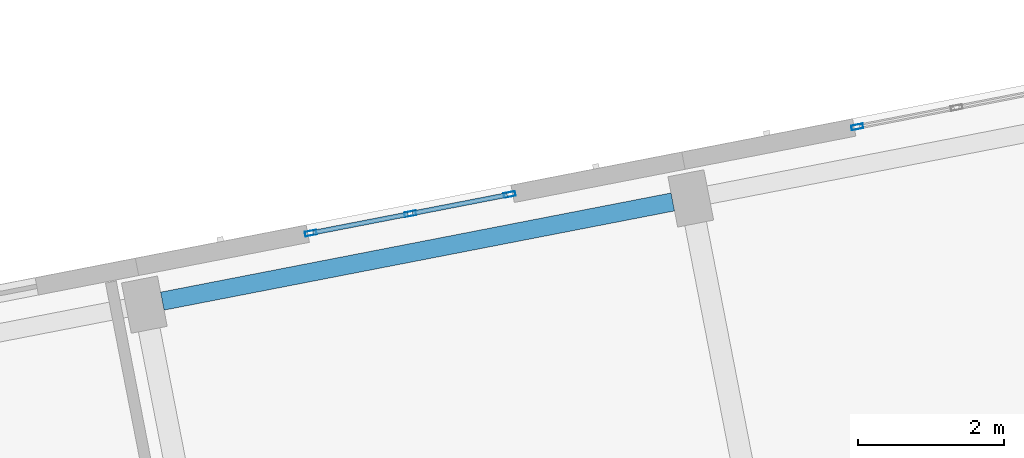
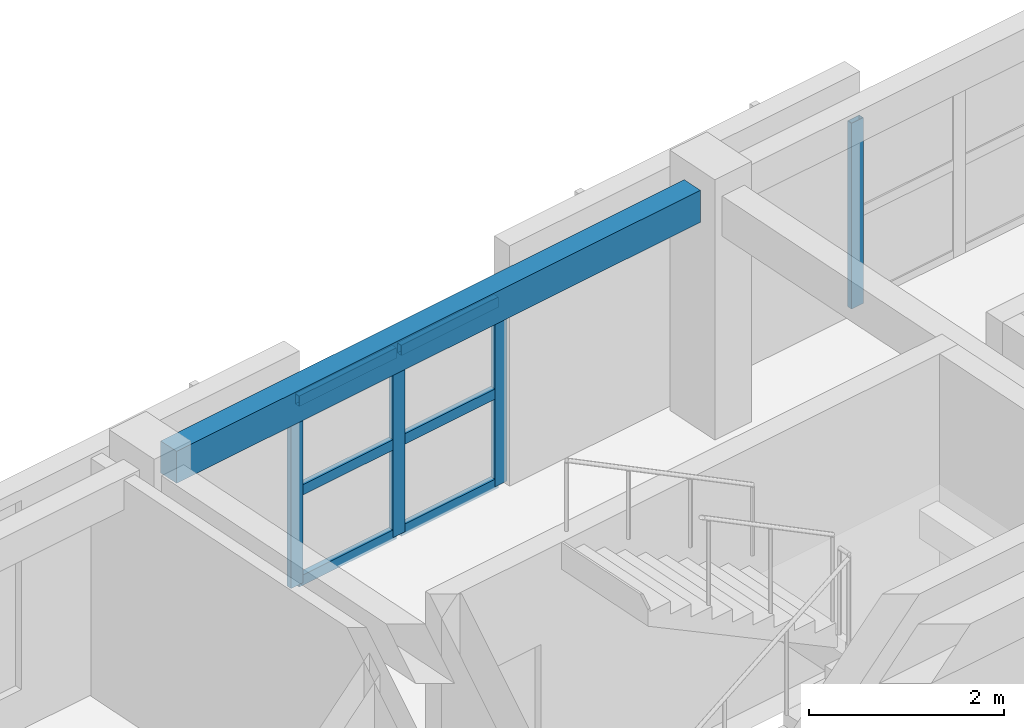
# One storey, part 56 of 127: 10 members, 1 beam, 2 elements without a shape of their own.
"""IFC4 building model written with IfcOpenShell, lengths in metres."""

from ifc_helpers import new_model, si_unit, direction, frame, origin, origin_2d, place, context, subcontext, project, spatial, rectangle, hollow_rectangle, extrude, material, material_profile, profile_set, type_object, element, aggregate, save


model = new_model("IFC4")

# Units and contexts
model_context = context("Model", 3, precision=1e-05, world=origin(), true_north=direction((0.0, 1.0)))
body_context = subcontext(model_context, "Body", "Model", "MODEL_VIEW")
ifc_project = project(units=[si_unit("LENGTHUNIT", "METRE"), si_unit("AREAUNIT", "SQUARE_METRE"), si_unit("VOLUMEUNIT", "CUBIC_METRE"), si_unit("PLANEANGLEUNIT", "RADIAN"), si_unit("MASSUNIT", "GRAM", prefix="KILO")], contexts=[model_context])

# Site, building, storey
site_placement = place(None, origin())
site = spatial("IfcSite", under=ifc_project, at=site_placement, CompositionType="ELEMENT")
building_placement = place(site_placement, origin())
building = spatial("IfcBuilding", under=site, at=building_placement, Name="Kestramere Prow Commons", CompositionType="ELEMENT")
storey_placement = place(building_placement, frame((0.0, 0.0, 8.39990234375)))
storey = spatial("IfcBuildingStorey", under=building, at=storey_placement, Name="L02", CompositionType="ELEMENT", Elevation=8.39990234375)

# Curtain wall, members
ifc_material_1 = material(Name="Anodised Aluminium and Low-E Glass", Category="aluminium")
curtain_wall_type = type_object("IfcCurtainWallType", Name="CW-03 Glazed Curtain Wall 2830x2320", PredefinedType="USERDEFINED", material=ifc_material_1)
curtain_wall_1_placement = place(storey_placement, origin())
curtain_wall_1 = element("IfcCurtainWall", 1, at=curtain_wall_1_placement, inside=storey, type_object=curtain_wall_type, Name="Block D L02 Stairwell Vertical Glazing 4", ObjectType="GLAZED CURTAIN WALL", PredefinedType="USERDEFINED")
ifc_material_2 = material(Name="Anodised Aluminium 6063-T6", Category="aluminium")
ifc_material_profile_1 = material_profile(ifc_material_2, hollow_rectangle(XDim=0.06494140625, YDim=0.159912109375, WallThickness=0.00390625, at=origin_2d()), Name="ALU-MUL 65x160")
ifc_profile_set_1 = profile_set([ifc_material_profile_1], Name="Anodised Aluminium 6063-T6")
member_type_1 = type_object("IfcMemberType", Name="CW-MUL-65x160", PredefinedType="MULLION", material=ifc_profile_set_1)
member_1_placement = place(storey_placement, frame((139.314208984375, 58.56689453125, 0.0), z_axis=(0.0, 0.0, 1.0), x_axis=(-0.190808835118, 0.981627214599, 0.0)))
member_1 = element("IfcMember", 2, at=member_1_placement, type_object=member_type_1, Name="CW-03 mullion 1", PredefinedType="MULLION", context=body_context, shape_type="SweptSolid", body=[
    extrude(hollow_rectangle(XDim=0.06494140625, YDim=0.159912109375, WallThickness=0.00390625, at=origin_2d()), origin(), (0.0, 0.0, 1.0), 2.320068359375),
])
member_2_placement = place(storey_placement, frame((140.671142578125, 58.830810546875, 0.0), z_axis=(0.0, 0.0, 1.0), x_axis=(-0.190808835118, 0.981627214599, 0.0)))
member_2 = element("IfcMember", 3, at=member_2_placement, type_object=member_type_1, Name="CW-03 mullion 2", PredefinedType="MULLION", context=body_context, shape_type="SweptSolid", body=[
    extrude(hollow_rectangle(XDim=0.06494140625, YDim=0.159912109375, WallThickness=0.00390625, at=origin_2d()), origin(), (0.0, 0.0, 1.0), 2.320068359375),
])
member_3_placement = place(storey_placement, frame((142.0283203125, 59.094482421875, 0.0), z_axis=(0.0, 0.0, 1.0), x_axis=(-0.190808835118, 0.981627214599, 0.0)))
member_3 = element("IfcMember", 4, at=member_3_placement, type_object=member_type_1, Name="CW-03 mullion 3", PredefinedType="MULLION", context=body_context, shape_type="SweptSolid", body=[
    extrude(hollow_rectangle(XDim=0.06494140625, YDim=0.159912109375, WallThickness=0.00390625, at=origin_2d()), origin(), (0.0, 0.0, 1.0), 2.320068359375),
])

# Curtain wall, member
curtain_wall_2_placement = place(storey_placement, origin())
curtain_wall_2 = element("IfcCurtainWall", 5, at=curtain_wall_2_placement, inside=storey, type_object=curtain_wall_type, Name="Block D L02 Stairwell Vertical Glazing 5", ObjectType="GLAZED CURTAIN WALL", PredefinedType="USERDEFINED")
member_4_placement = place(storey_placement, frame((146.7744140625, 60.01708984375, 0.0), z_axis=(0.0, 0.0, 1.0), x_axis=(-0.190808835118, 0.981627214599, 0.0)))
member_4 = element("IfcMember", 6, at=member_4_placement, type_object=member_type_1, Name="CW-03 mullion 1", PredefinedType="MULLION", context=body_context, shape_type="SweptSolid", body=[
    extrude(hollow_rectangle(XDim=0.06494140625, YDim=0.159912109375, WallThickness=0.00390625, at=origin_2d()), origin(), (0.0, 0.0, 1.0), 2.320068359375),
])
aggregate(curtain_wall_2, [member_4])

# Member
ifc_material_profile_2 = material_profile(ifc_material_2, hollow_rectangle(XDim=0.06494140625, YDim=0.1298828125, WallThickness=0.00390625, at=origin_2d()), Name="ALU-TRN 65x130")
ifc_profile_set_2 = profile_set([ifc_material_profile_2], Name="Anodised Aluminium 6063-T6")
member_type_2 = type_object("IfcMemberType", Name="CW-TRN-65x130", PredefinedType="USERDEFINED", material=ifc_profile_set_2)
member_5_placement = place(storey_placement, frame((139.345947265625, 58.5732421875, 0.03271484375), z_axis=(0.981655869186, 0.190661360776, 0.0), x_axis=(-0.190661360776, 0.981655869186, 0.0)))
member_5 = element("IfcMember", 7, at=member_5_placement, type_object=member_type_2, Name="CW-03 transom 1.1", ObjectType="TRANSOM", PredefinedType="USERDEFINED", context=body_context, shape_type="SweptSolid", body=[
    extrude(hollow_rectangle(XDim=0.06494140625, YDim=0.1298828125, WallThickness=0.00390625, at=origin_2d()), origin(), (0.0, 0.0, 1.0), 1.317626953125),
])

member_6_placement = place(storey_placement, frame((139.345947265625, 58.5732421875, 1.16015625), z_axis=(0.981655869186, 0.190661360776, 0.0), x_axis=(-0.190661360776, 0.981655869186, 0.0)))
member_6 = element("IfcMember", 8, at=member_6_placement, type_object=member_type_2, Name="CW-03 transom 1.2", ObjectType="TRANSOM", PredefinedType="USERDEFINED", context=body_context, shape_type="SweptSolid", body=[
    extrude(hollow_rectangle(XDim=0.06494140625, YDim=0.1298828125, WallThickness=0.00390625, at=origin_2d()), origin(), (0.0, 0.0, 1.0), 1.317626953125),
])

member_7_placement = place(storey_placement, frame((139.345947265625, 58.5732421875, 2.28759765625), z_axis=(0.981655869186, 0.190661360776, 0.0), x_axis=(-0.190661360776, 0.981655869186, 0.0)))
member_7 = element("IfcMember", 9, at=member_7_placement, type_object=member_type_2, Name="CW-03 transom 1.3", ObjectType="TRANSOM", PredefinedType="USERDEFINED", context=body_context, shape_type="SweptSolid", body=[
    extrude(hollow_rectangle(XDim=0.06494140625, YDim=0.1298828125, WallThickness=0.00390625, at=origin_2d()), origin(), (0.0, 0.0, 1.0), 1.317626953125),
])

member_8_placement = place(storey_placement, frame((140.703125, 58.8369140625, 0.03271484375), z_axis=(0.981614425191, 0.190874619208, 0.0), x_axis=(-0.190874619208, 0.981614425191, 0.0)))
member_8 = element("IfcMember", 10, at=member_8_placement, type_object=member_type_2, Name="CW-03 transom 2.1", ObjectType="TRANSOM", PredefinedType="USERDEFINED", context=body_context, shape_type="SweptSolid", body=[
    extrude(hollow_rectangle(XDim=0.06494140625, YDim=0.1298828125, WallThickness=0.00390625, at=origin_2d()), origin(), (0.0, 0.0, 1.0), 1.3173828125),
])

member_9_placement = place(storey_placement, frame((140.703125, 58.8369140625, 1.16015625), z_axis=(0.981614425191, 0.190874619208, 0.0), x_axis=(-0.190874619208, 0.981614425191, 0.0)))
member_9 = element("IfcMember", 11, at=member_9_placement, type_object=member_type_2, Name="CW-03 transom 2.2", ObjectType="TRANSOM", PredefinedType="USERDEFINED", context=body_context, shape_type="SweptSolid", body=[
    extrude(hollow_rectangle(XDim=0.06494140625, YDim=0.1298828125, WallThickness=0.00390625, at=origin_2d()), origin(), (0.0, 0.0, 1.0), 1.3173828125),
])

member_10_placement = place(storey_placement, frame((140.703125, 58.8369140625, 2.28759765625), z_axis=(0.981614425191, 0.190874619208, 0.0), x_axis=(-0.190874619208, 0.981614425191, 0.0)))
member_10 = element("IfcMember", 12, at=member_10_placement, type_object=member_type_2, Name="CW-03 transom 2.3", ObjectType="TRANSOM", PredefinedType="USERDEFINED", context=body_context, shape_type="SweptSolid", body=[
    extrude(hollow_rectangle(XDim=0.06494140625, YDim=0.1298828125, WallThickness=0.00390625, at=origin_2d()), origin(), (0.0, 0.0, 1.0), 1.3173828125),
])

aggregate(curtain_wall_1, [member_1, member_2, member_3, member_5, member_6, member_7, member_8, member_9, member_10])

# Beam
ifc_material_3 = material(Name="Precast concrete C40/50", Category="concrete")
ifc_material_profile_3 = material_profile(ifc_material_3, rectangle(XDim=0.25, YDim=0.39990234375, at=origin_2d()), Name="PC-SP 250x400")
ifc_profile_set_3 = profile_set([ifc_material_profile_3], Name="Precast concrete C40/50")
beam_type = type_object("IfcBeamType", Name="SP-EXT-01 PC-SP 250x400", PredefinedType="SPANDREL", material=ifc_profile_set_3)
beam_placement = place(storey_placement, frame((137.28662109375, 57.637939453125, 2.800048828125), z_axis=(0.981627020401, 0.190809834175, 0.0), x_axis=(-0.190809834175, 0.981627020401, 0.0)))
element("IfcBeam", 13, at=beam_placement, inside=storey, type_object=beam_type, Name="Block D L02 Longitudinal Beam 4-4", PredefinedType="SPANDREL", context=body_context, shape_type="SweptSolid", body=[
    extrude(rectangle(XDim=0.25, YDim=0.39990234375, at=origin_2d()), origin(), (0.0, 0.0, 1.0), 7.099853515625),
])

save(model, "model.ifc")
